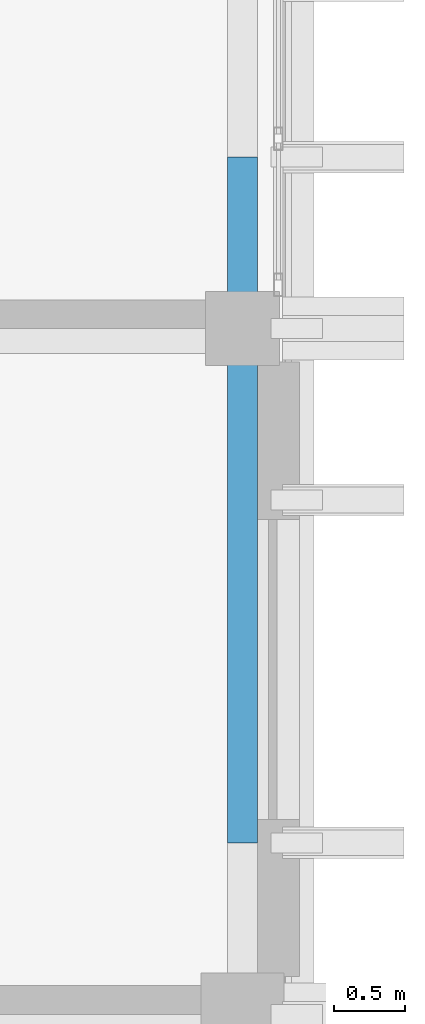
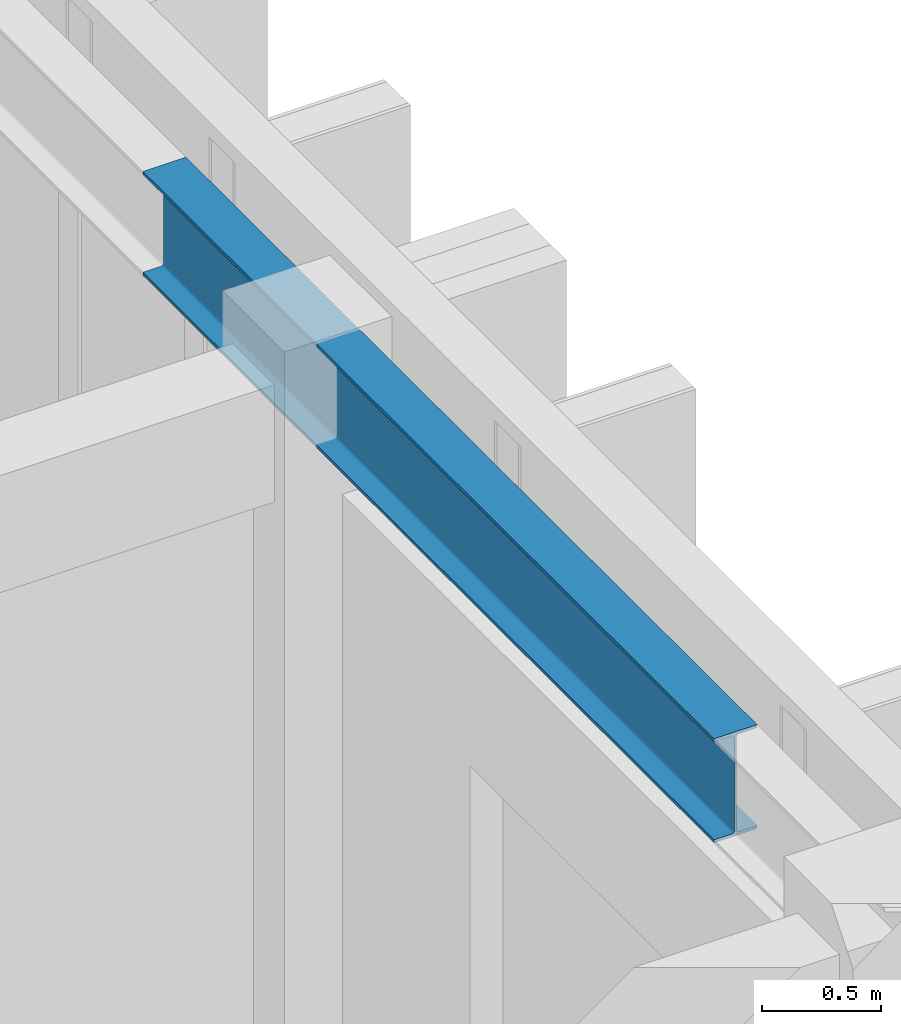
# One storey, part 9 of 49: 1 beam.
"""IFC4 building model written with IfcOpenShell, lengths in metres."""

from ifc_helpers import new_model, si_unit, direction, frame, origin, origin_2d, place, context, subcontext, project, spatial, i_section, extrude, material, material_profile, profile_set, type_object, element, save


model = new_model("IFC4")

# Units and contexts
model_context = context("Model", 3, precision=1e-05, world=origin(), true_north=direction((0.0, 1.0)))
body_context = subcontext(model_context, "Body", "Model", "MODEL_VIEW")
ifc_project = project(units=[si_unit("LENGTHUNIT", "METRE"), si_unit("AREAUNIT", "SQUARE_METRE"), si_unit("VOLUMEUNIT", "CUBIC_METRE"), si_unit("PLANEANGLEUNIT", "RADIAN"), si_unit("MASSUNIT", "GRAM", prefix="KILO")], contexts=[model_context])

# Site, building, storey
site_placement = place(None, origin())
site = spatial("IfcSite", under=ifc_project, at=site_placement, CompositionType="ELEMENT")
building_placement = place(site_placement, origin())
building = spatial("IfcBuilding", under=site, at=building_placement, Name="Nakhvara Creek Congress Hotel", CompositionType="ELEMENT")
storey_placement = place(building_placement, frame((0.0, 0.0, 46.5)))
storey = spatial("IfcBuildingStorey", under=building, at=storey_placement, Name="L11", CompositionType="ELEMENT", Elevation=46.5)

# Beam
ifc_material = material(Name="Steel S355J2", Category="steel")
ifc_material_profile = material_profile(ifc_material, i_section(OverallWidth=0.209228515625, OverallDepth=0.533203125, WebThickness=0.010009765625, FlangeThickness=0.015625, FilletRadius=0.0126953125, at=origin_2d()), Name="UB 533x210x92", Category="LoadBearing")
ifc_profile_set = profile_set([ifc_material_profile], Name="Steel S355J2")
beam_type = type_object("IfcBeamType", Name="BM-ST-UB533", PredefinedType="BEAM", material=ifc_profile_set)
beam_placement = place(storey_placement, frame((179.35009765625, 78.0, 3.6201171875), z_axis=(0.0, 1.0, 0.0), x_axis=(-1.0, 0.0, 0.0)))
element("IfcBeam", 1, at=beam_placement, inside=storey, type_object=beam_type, Name="Hotel Gable Eave Beam E-02", PredefinedType="BEAM", context=body_context, shape_type="SweptSolid", body=[
    extrude(i_section(OverallWidth=0.209228515625, OverallDepth=0.533203125, WebThickness=0.010009765625, FlangeThickness=0.015625, FilletRadius=0.0126953125, at=origin_2d()), origin(), (0.0, 0.0, 1.0), 4.800048828125),
])

save(model, "model.ifc")
